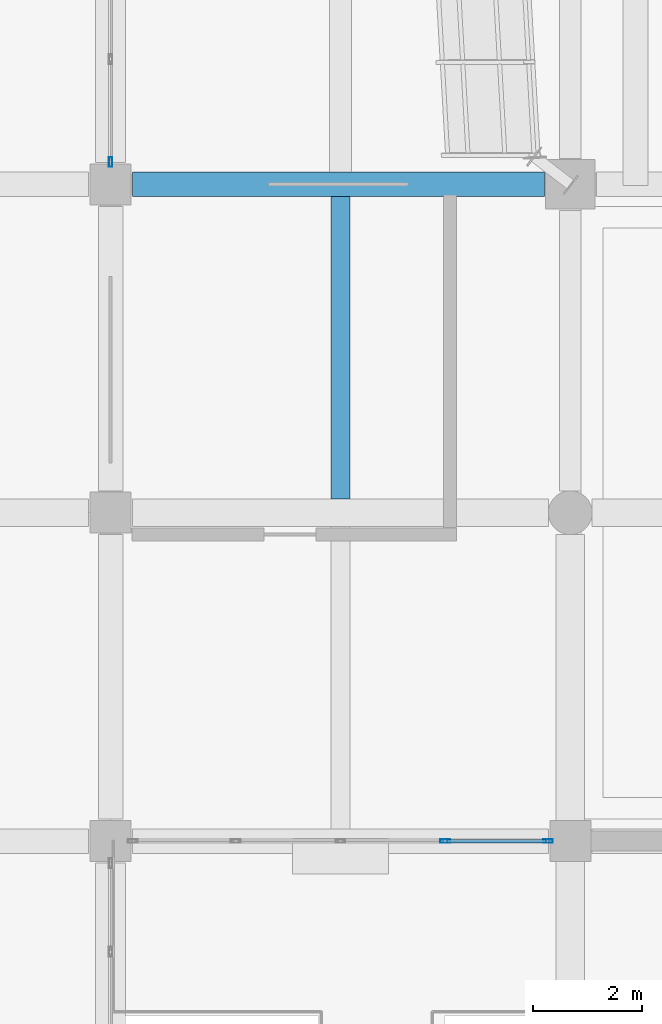
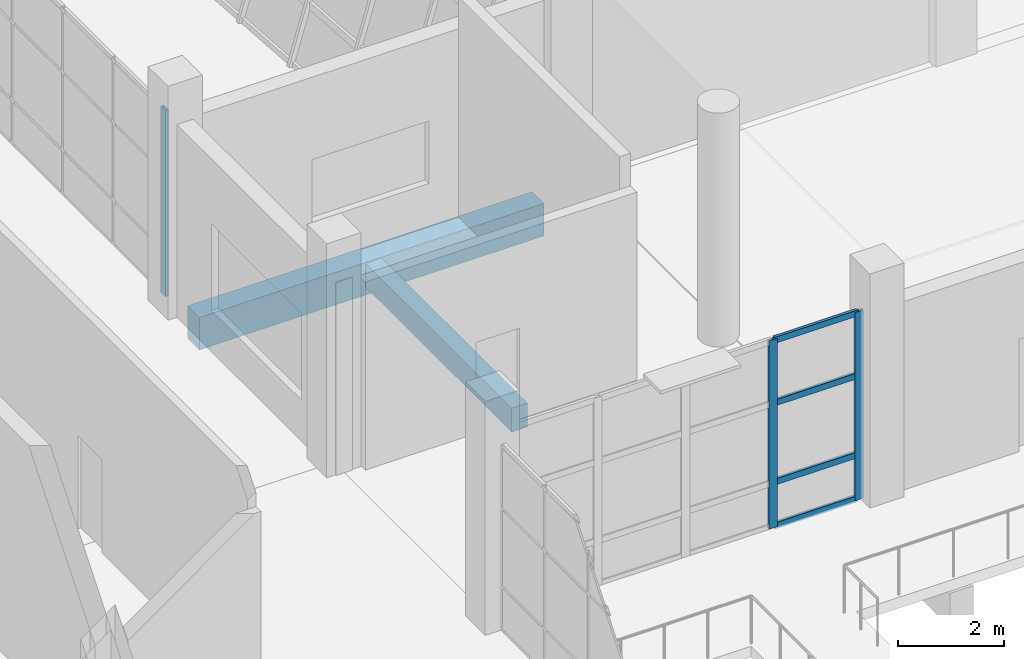
# One storey, part 13 of 78: 7 members, 2 beams, 2 elements without a shape of their own.
"""IFC4 building model written with IfcOpenShell, lengths in metres."""

from ifc_helpers import new_model, si_unit, direction, frame, origin, origin_2d, place, context, subcontext, project, spatial, rectangle, hollow_rectangle, extrude, material, material_profile, profile_set, type_object, element, aggregate, save


model = new_model("IFC4")

# Units and contexts
model_context = context("Model", 3, precision=1e-05, world=origin(), true_north=direction((0.0, 1.0)))
body_context = subcontext(model_context, "Body", "Model", "MODEL_VIEW")
ifc_project = project(units=[si_unit("LENGTHUNIT", "METRE"), si_unit("AREAUNIT", "SQUARE_METRE"), si_unit("VOLUMEUNIT", "CUBIC_METRE"), si_unit("PLANEANGLEUNIT", "RADIAN"), si_unit("MASSUNIT", "GRAM", prefix="KILO")], contexts=[model_context])

# Site, building, storey
site_placement = place(None, origin())
site = spatial("IfcSite", under=ifc_project, at=site_placement, CompositionType="ELEMENT")
building_placement = place(site_placement, origin())
building = spatial("IfcBuilding", under=site, at=building_placement, Name="Pellamere Symphony Hall", CompositionType="ELEMENT")
storey_placement = place(building_placement, origin())
storey = spatial("IfcBuildingStorey", under=building, at=storey_placement, Name="L00", CompositionType="ELEMENT", Elevation=0.0)

# Curtain wall, members
ifc_material_1 = material(Name="Thermally Broken Anodised Aluminium 6063-T6 Curtain Wall", Category="aluminium")
curtain_wall_type_1 = type_object("IfcCurtainWallType", Name="Curtain Wall CW-02 (Winter-Garden South Concourse Curtain Wall)", PredefinedType="NOTDEFINED", material=ifc_material_1)
curtain_wall_1_placement = place(storey_placement, origin())
curtain_wall_1 = element("IfcCurtainWall", 1, at=curtain_wall_1_placement, inside=storey, type_object=curtain_wall_type_1, Name="Winter-Garden South Curtain Wall (L00 Bay 1)", PredefinedType="NOTDEFINED")
ifc_material_2 = material(Name="Anodised Architectural Aluminium 6063-T6", Category="aluminium")
ifc_material_profile_1 = material_profile(ifc_material_2, hollow_rectangle(XDim=0.06494140625, YDim=0.179931640625, WallThickness=0.00390625, at=origin_2d()), Name="ALU-M65X180X4")
ifc_profile_set_1 = profile_set([ifc_material_profile_1], Name="Anodised Architectural Aluminium 6063-T6")
member_type_1 = type_object("IfcMemberType", Name="Curtain Wall Mullion ML-02 ALU-M65X180X4", PredefinedType="MULLION", material=ifc_profile_set_1)
member_1_placement = place(storey_placement, frame((48.112548828125, 18.0, 0.0), z_axis=(0.0, 0.0, 1.0), x_axis=(0.0, 1.0, 0.0)))
member_1 = element("IfcMember", 2, at=member_1_placement, type_object=member_type_1, Name="CW2-064 crystal mullion 4", PredefinedType="MULLION", context=body_context, shape_type="SweptSolid", body=[
    extrude(hollow_rectangle(XDim=0.06494140625, YDim=0.179931640625, WallThickness=0.00390625, at=origin_2d()), origin(), (0.0, 0.0, 1.0), 4.35009765625),
])
member_2_placement = place(storey_placement, frame((49.992431640625, 18.0, 0.0), z_axis=(0.0, 0.0, 1.0), x_axis=(0.0, 1.0, 0.0)))
member_2 = element("IfcMember", 3, at=member_2_placement, type_object=member_type_1, Name="CW2-064 crystal mullion 5", PredefinedType="MULLION", context=body_context, shape_type="SweptSolid", body=[
    extrude(hollow_rectangle(XDim=0.06494140625, YDim=0.179931640625, WallThickness=0.00390625, at=origin_2d()), origin(), (0.0, 0.0, 1.0), 4.35009765625),
])

# Curtain wall, member
curtain_wall_type_2 = type_object("IfcCurtainWallType", Name="Curtain Wall CW-04 (Chamber Music Lobby Curtain Wall)", PredefinedType="NOTDEFINED", material=ifc_material_1)
curtain_wall_2_placement = place(storey_placement, origin())
curtain_wall_2 = element("IfcCurtainWall", 4, at=curtain_wall_2_placement, inside=storey, type_object=curtain_wall_type_2, Name="Chamber Forecourt East Curtain Wall (L00 Bay 2)", PredefinedType="NOTDEFINED")
member_3_placement = place(storey_placement, frame((42.0, 30.407470703125, 0.0), z_axis=(0.0, 0.0, 1.0), x_axis=(-1.0, 0.0, 0.0)))
member_3 = element("IfcMember", 5, at=member_3_placement, type_object=member_type_1, Name="CW4E-110 crystal mullion 1", PredefinedType="MULLION", context=body_context, shape_type="SweptSolid", body=[
    extrude(hollow_rectangle(XDim=0.06494140625, YDim=0.179931640625, WallThickness=0.00390625, at=origin_2d()), origin(), (0.0, 0.0, 1.0), 4.300048828125),
])
aggregate(curtain_wall_2, [member_3])

# Member
ifc_material_profile_2 = material_profile(ifc_material_2, hollow_rectangle(XDim=0.06494140625, YDim=0.139892578125, WallThickness=0.00390625, at=origin_2d()), Name="ALU-T65X140X4")
ifc_profile_set_2 = profile_set([ifc_material_profile_2], Name="Anodised Architectural Aluminium 6063-T6")
member_type_2 = type_object("IfcMemberType", Name="Curtain Wall Transom TR-02 ALU-T65X140X4", PredefinedType="USERDEFINED", material=ifc_profile_set_2)
member_4_placement = place(storey_placement, frame((48.14501953125, 18.0, 0.032470703125), z_axis=(1.0, 0.0, 0.0), x_axis=(0.0, 1.0, 0.0)))
member_4 = element("IfcMember", 6, at=member_4_placement, type_object=member_type_2, Name="CW2-064 crystal transom 4.1", ObjectType="TRANSOM", PredefinedType="USERDEFINED", context=body_context, shape_type="SweptSolid", body=[
    extrude(hollow_rectangle(XDim=0.06494140625, YDim=0.139892578125, WallThickness=0.00390625, at=origin_2d()), origin(), (0.0, 0.0, 1.0), 1.81494140625),
])

member_5_placement = place(storey_placement, frame((48.14501953125, 18.0, 1.0439453125), z_axis=(1.0, 0.0, 0.0), x_axis=(0.0, 1.0, 0.0)))
member_5 = element("IfcMember", 7, at=member_5_placement, type_object=member_type_2, Name="CW2-064 crystal transom 4.2", ObjectType="TRANSOM", PredefinedType="USERDEFINED", context=body_context, shape_type="SweptSolid", body=[
    extrude(hollow_rectangle(XDim=0.06494140625, YDim=0.139892578125, WallThickness=0.00390625, at=origin_2d()), origin(), (0.0, 0.0, 1.0), 1.81494140625),
])

member_6_placement = place(storey_placement, frame((48.14501953125, 18.0, 2.87109375), z_axis=(1.0, 0.0, 0.0), x_axis=(0.0, 1.0, 0.0)))
member_6 = element("IfcMember", 8, at=member_6_placement, type_object=member_type_2, Name="CW2-064 crystal transom 4.3", ObjectType="TRANSOM", PredefinedType="USERDEFINED", context=body_context, shape_type="SweptSolid", body=[
    extrude(hollow_rectangle(XDim=0.06494140625, YDim=0.139892578125, WallThickness=0.00390625, at=origin_2d()), origin(), (0.0, 0.0, 1.0), 1.81494140625),
])

member_7_placement = place(storey_placement, frame((48.14501953125, 18.0, 4.3173828125), z_axis=(1.0, 0.0, 0.0), x_axis=(0.0, 1.0, 0.0)))
member_7 = element("IfcMember", 9, at=member_7_placement, type_object=member_type_2, Name="CW2-064 crystal transom 4.4", ObjectType="TRANSOM", PredefinedType="USERDEFINED", context=body_context, shape_type="SweptSolid", body=[
    extrude(hollow_rectangle(XDim=0.06494140625, YDim=0.139892578125, WallThickness=0.00390625, at=origin_2d()), origin(), (0.0, 0.0, 1.0), 1.81494140625),
])

aggregate(curtain_wall_1, [member_1, member_2, member_4, member_5, member_6, member_7])

# Beams
ifc_material_3 = material(Name="Concrete 35 MPa", Category="concrete")
ifc_material_profile_3 = material_profile(ifc_material_3, rectangle(XDim=0.35009765625, YDim=0.550048828125, at=origin_2d()), Name="RC 350x550")
ifc_profile_set_3 = profile_set([ifc_material_profile_3], Name="Concrete 35 MPa")
beam_type_1 = type_object("IfcBeamType", Name="RC CB-10 350x550", PredefinedType="BEAM", material=ifc_profile_set_3)
beam_1_placement = place(storey_placement, frame((46.199951171875, 24.25, -0.590087890625), z_axis=(0.0, 1.0, 0.0), x_axis=(-1.0, 0.0, 0.0)))
element("IfcBeam", 10, at=beam_1_placement, inside=storey, type_object=beam_type_1, Name="Secondary Floor Beam CB-10-M0503 (L00)", PredefinedType="BEAM", context=body_context, shape_type="SweptSolid", body=[
    extrude(rectangle(XDim=0.35009765625, YDim=0.550048828125, at=origin_2d()), origin(), (0.0, 0.0, 1.0), 5.52490234375),
])
ifc_material_4 = material(Name="Concrete 40 MPa", Category="concrete")
ifc_material_profile_4 = material_profile(ifc_material_4, rectangle(XDim=0.449951171875, YDim=0.75, at=origin_2d()), Name="RC 450x750")
ifc_profile_set_4 = profile_set([ifc_material_profile_4], Name="Concrete 40 MPa")
beam_type_2 = type_object("IfcBeamType", Name="RC CB-12 450x750", PredefinedType="SPANDREL", material=ifc_profile_set_4)
beam_2_placement = place(storey_placement, frame((42.39990234375, 30.0, -0.675048828125), z_axis=(1.0, 0.0, 0.0), x_axis=(0.0, 1.0, 0.0)))
element("IfcBeam", 11, at=beam_2_placement, inside=storey, type_object=beam_type_2, Name="Girder CB-12-X0052 (L00)", PredefinedType="SPANDREL", context=body_context, shape_type="SweptSolid", body=[
    extrude(rectangle(XDim=0.449951171875, YDim=0.75, at=origin_2d()), origin(), (0.0, 0.0, 1.0), 7.525146484375),
])

save(model, "model.ifc")
